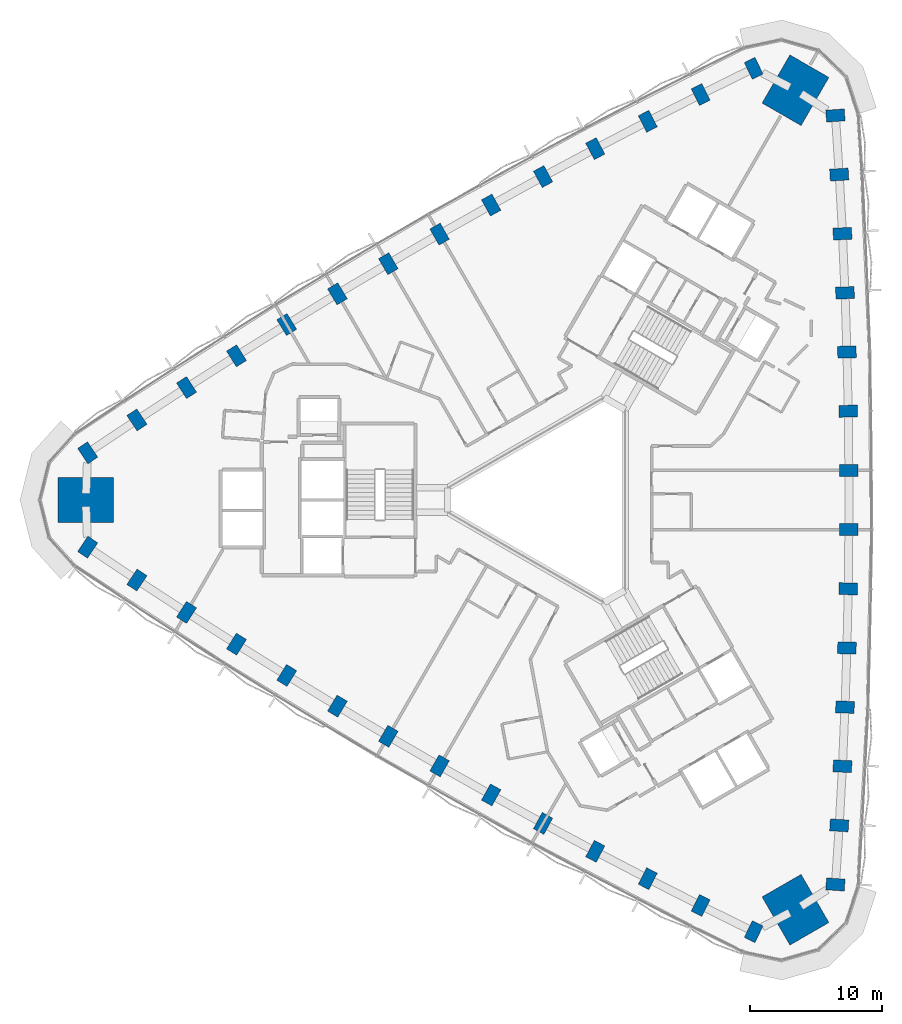
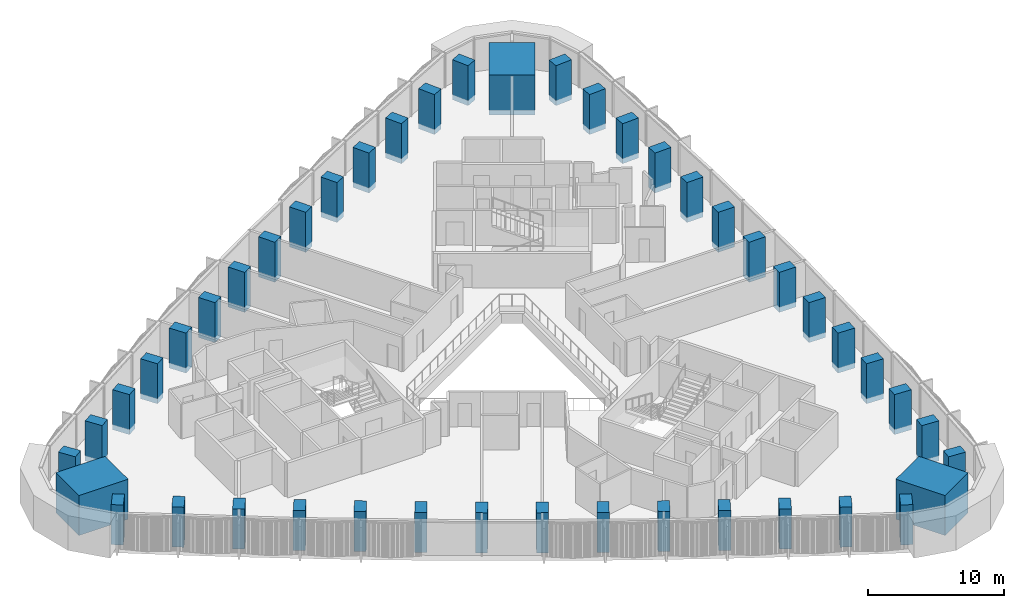
# One storey, part 1 of 15: 45 columns.
"""IFC4 building model written with IfcOpenShell, lengths in metres."""

from ifc_helpers import new_model, si_unit, direction, frame, origin, origin_2d, place, context, subcontext, project, spatial, rectangle, extrude, material, material_profile, profile_set, type_object, element, save


model = new_model("IFC4")

# Units and contexts
model_context = context("Model", 3, precision=1e-05, world=origin(), true_north=direction((0.0, 1.0)))
body_context = subcontext(model_context, "Body", "Model", "MODEL_VIEW")
ifc_project = project(units=[si_unit("LENGTHUNIT", "METRE"), si_unit("AREAUNIT", "SQUARE_METRE"), si_unit("VOLUMEUNIT", "CUBIC_METRE"), si_unit("PLANEANGLEUNIT", "RADIAN"), si_unit("MASSUNIT", "GRAM", prefix="KILO")], contexts=[model_context])

# Site, building, storey
site_placement = place(None, origin())
site = spatial("IfcSite", under=ifc_project, at=site_placement, CompositionType="ELEMENT")
building_placement = place(site_placement, origin())
building = spatial("IfcBuilding", under=site, at=building_placement, Name="Tamra Quay Hotel Tower", CompositionType="ELEMENT")
storey_placement = place(building_placement, frame((0.0, 0.0, 42.199951171875)))
storey = spatial("IfcBuildingStorey", under=building, at=storey_placement, Name="L08", CompositionType="ELEMENT", Elevation=42.199951171875)

# Columns
ifc_material = material(Name="Concrete M70", Category="concrete")
ifc_material_profile_1 = material_profile(ifc_material, rectangle(XDim=1.39990234375, YDim=0.89990234375, at=origin_2d()), Name="COLUMN RC 900x1400 Z1")
ifc_profile_set_1 = profile_set([ifc_material_profile_1], Name="Concrete M70")
column_type_1 = type_object("IfcColumnType", Name="COLUMN RC 900x1400 Z1", PredefinedType="COLUMN", material=ifc_profile_set_1)
for number, where, z_axis, x_axis, name in (
    (1, (20.87890625, -29.033935546875, -0.474853515625), (0.0, 0.0, 1.0), (-0.997561736499, 0.069789554182, 0.0), "COL-C1E01-L08"),
    (2, (21.168701171875, -24.572509765625, -0.474853515625), (0.0, 0.0, 1.0), (-0.998214376921, 0.059733221148, 0.0), "COL-C1E02-L08"),
    (3, (21.410400390625, -20.10888671875, -0.474853515625), (0.0, 0.0, 1.0), (-0.998830734492, 0.048344222345, 0.0), "COL-C1E03-L08"),
    (4, (21.60400390625, -15.642578125, -0.474853515625), (0.0, 0.0, 1.0), (-0.999284860458, 0.037812268629, 0.0), "COL-C1E04-L08"),
    (5, (21.7490234375, -11.17431640625, -0.474853515625), (0.0, 0.0, 1.0), (-0.999628128016, 0.02726913418, 0.0), "COL-C1E05-L08"),
    (6, (21.845947265625, -6.70556640625, -0.474853515625), (0.0, 0.0, 1.0), (-0.999874567832, 0.015838200722, 0.0), "COL-C1E06-L08"),
    (7, (21.894287109375, -2.2353515625, -0.474853515625), (0.0, 0.0, 1.0), (-0.999986062833, 0.00527959646, 0.0), "COL-C1E07-L08"),
    (8, (21.894287109375, 2.2353515625, -0.474853515625), (0.0, 0.0, 1.0), (0.999986062833, 0.00527959646, 0.0), "COL-C1E08-L08"),
    (9, (21.845947265625, 6.70556640625, -0.474853515625), (0.0, 0.0, 1.0), (0.999874567832, 0.015838200722, 0.0), "COL-C1E09-L08"),
    (10, (21.7490234375, 11.17431640625, -0.474853515625), (0.0, 0.0, 1.0), (0.999628128016, 0.02726913418, 0.0), "COL-C1E10-L08"),
    (11, (21.60400390625, 15.642578125, -0.474853515625), (0.0, 0.0, 1.0), (0.999284860458, 0.037812268629, 0.0), "COL-C1E11-L08"),
    (12, (21.410400390625, 20.10888671875, -0.474853515625), (0.0, 0.0, 1.0), (0.998830734492, 0.048344222345, 0.0), "COL-C1E12-L08"),
    (13, (21.168701171875, 24.572509765625, -0.474853515625), (0.0, 0.0, 1.0), (0.998214376921, 0.059733221148, 0.0), "COL-C1E13-L08"),
    (14, (20.87890625, 29.033935546875, -0.474853515625), (0.0, 0.0, 1.0), (0.997561736499, 0.069789554182, 0.0), "COL-C1E14-L08"),
    (15, (14.70458984375, 32.5986328125, -0.474853515625), (0.0, 0.0, 1.0), (-0.438341341409, 0.898808582743, 0.0), "COL-C1NW01-L08"),
    (16, (10.69580078125, 30.618896484375, -0.474853515625), (0.0, 0.0, 1.0), (-0.447376701496, 0.89434561941, 0.0), "COL-C1NW02-L08"),
    (17, (6.709716796875, 28.596435546875, -0.474853515625), (0.0, 0.0, 1.0), (-0.457548042569, 0.889184901323, 0.0), "COL-C1NW03-L08"),
    (18, (2.744873046875, 26.53076171875, -0.474853515625), (0.0, 0.0, 1.0), (-0.466896045022, 0.884312209088, 0.0), "COL-C1NW04-L08"),
    (19, (-1.197265625, 24.422607421875, -0.474853515625), (0.0, 0.0, 1.0), (-0.476198301069, 0.879337920289, 0.0), "COL-C1NW05-L08"),
    (20, (-5.11572265625, 22.27197265625, -0.474853515625), (0.0, 0.0, 1.0), (-0.486220999741, 0.873835876702, 0.0), "COL-C1NW06-L08"),
    (21, (-9.011474609375, 20.07861328125, -0.474853515625), (0.0, 0.0, 1.0), (-0.495420766761, 0.868653132074, 0.0), "COL-C1NW07-L08"),
    (22, (-12.883056640625, 17.843505859375, -0.474853515625), (0.0, 0.0, 1.0), (-0.504565296072, 0.863373535614, 0.0), "COL-C1NW08-L08"),
    (23, (-16.72998046875, 15.56640625, -0.474853515625), (0.0, 0.0, 1.0), (-0.513653568092, 0.85799767598, 0.0), "COL-C1NW09-L08"),
    (24, (-20.552001953125, 13.248046875, -0.474853515625), (0.0, 0.0, 1.0), (-0.523429826947, 0.85206878611, 0.0), "COL-C1NW10-L08"),
    (25, (-24.348876953125, 10.88818359375, -0.474853515625), (0.0, 0.0, 1.0), (-0.532388815436, 0.84649994046, 0.0), "COL-C1NW11-L08"),
    (26, (-28.1201171875, 8.487548828125, -0.474853515625), (0.0, 0.0, 1.0), (-0.541282691923, 0.840840678978, 0.0), "COL-C1NW12-L08"),
    (27, (-31.86474609375, 6.04638671875, -0.474853515625), (0.0, 0.0, 1.0), (-0.550837675425, 0.834612398262, 0.0), "COL-C1NW13-L08"),
    (28, (-35.58349609375, 3.564697265625, -0.474853515625), (0.0, 0.0, 1.0), (-0.55922039509, 0.82901902856, 0.0), "COL-C1NW14-L08"),
    (29, (-35.58349609375, -3.564697265625, -0.474853515625), (0.0, 0.0, 1.0), (0.55922039509, 0.82901902856, 0.0), "COL-C1SW01-L08"),
    (30, (-31.86474609375, -6.04638671875, -0.474853515625), (0.0, 0.0, 1.0), (0.550837675425, 0.834612398262, 0.0), "COL-C1SW02-L08"),
    (31, (-28.1201171875, -8.487548828125, -0.474853515625), (0.0, 0.0, 1.0), (0.541282691923, 0.840840678978, 0.0), "COL-C1SW03-L08"),
    (32, (-24.348876953125, -10.88818359375, -0.474853515625), (0.0, 0.0, 1.0), (0.532388815436, 0.84649994046, 0.0), "COL-C1SW04-L08"),
    (33, (-20.552001953125, -13.248046875, -0.474853515625), (0.0, 0.0, 1.0), (0.523429826947, 0.85206878611, 0.0), "COL-C1SW05-L08"),
    (34, (-16.72998046875, -15.56640625, -0.474853515625), (0.0, 0.0, 1.0), (0.513653568092, 0.85799767598, 0.0), "COL-C1SW06-L08"),
    (35, (-12.883056640625, -17.843505859375, -0.474853515625), (0.0, 0.0, 1.0), (0.504565296072, 0.863373535614, 0.0), "COL-C1SW07-L08"),
    (36, (-9.011474609375, -20.07861328125, -0.474853515625), (0.0, 0.0, 1.0), (0.495420766761, 0.868653132074, 0.0), "COL-C1SW08-L08"),
    (37, (-5.11572265625, -22.27197265625, -0.474853515625), (0.0, 0.0, 1.0), (0.486220999741, 0.873835876702, 0.0), "COL-C1SW09-L08"),
    (38, (-1.197265625, -24.422607421875, -0.474853515625), (0.0, 0.0, 1.0), (0.476198301069, 0.879337920289, 0.0), "COL-C1SW10-L08"),
    (39, (2.744873046875, -26.53076171875, -0.474853515625), (0.0, 0.0, 1.0), (0.466896045022, 0.884312209088, 0.0), "COL-C1SW11-L08"),
    (40, (6.709716796875, -28.596435546875, -0.474853515625), (0.0, 0.0, 1.0), (0.457548042569, 0.889184901323, 0.0), "COL-C1SW12-L08"),
    (41, (10.69580078125, -30.618896484375, -0.474853515625), (0.0, 0.0, 1.0), (0.447376701496, 0.89434561941, 0.0), "COL-C1SW13-L08"),
    (42, (14.70458984375, -32.5986328125, -0.474853515625), (0.0, 0.0, 1.0), (0.438341341409, 0.898808582743, 0.0), "COL-C1SW14-L08"),
):
    element("IfcColumn", number, at=place(storey_placement, frame(where, z_axis=z_axis, x_axis=x_axis)), inside=storey, type_object=column_type_1, Name=name, PredefinedType="COLUMN", context=body_context, shape_type="SweptSolid", body=[
        extrude(rectangle(XDim=1.39990234375, YDim=0.89990234375, at=origin_2d()), origin(), (0.0, 0.0, 1.0), 3.599853515625),
    ])
ifc_material_profile_2 = material_profile(ifc_material, rectangle(XDim=4.199951171875, YDim=3.39990234375, at=origin_2d()), Name="MEGA COLUMN RC 3400x4200 Z1")
ifc_profile_set_2 = profile_set([ifc_material_profile_2], Name="Concrete M70")
column_type_2 = type_object("IfcColumnType", Name="MEGA COLUMN RC 3400x4200 Z1", PredefinedType="COLUMN", material=ifc_profile_set_2)
for number, where, z_axis, x_axis, name in (
    (43, (17.864501953125, 30.942138671875, -0.474853515625), (0.0, 0.0, 1.0), (0.5, 0.866025403784, 0.0), "COL-M1NE-L08"),
    (44, (-35.72900390625, 0.0, -0.474853515625), (0.0, 0.0, 1.0), (1.0, 0.0, 0.0), "COL-M1W-L08"),
    (45, (17.864501953125, -30.942138671875, -0.474853515625), (0.0, 0.0, 1.0), (-0.5, 0.866025403784, 0.0), "COL-M1SE-L08"),
):
    element("IfcColumn", number, at=place(storey_placement, frame(where, z_axis=z_axis, x_axis=x_axis)), inside=storey, type_object=column_type_2, Name=name, PredefinedType="COLUMN", context=body_context, shape_type="SweptSolid", body=[
        extrude(rectangle(XDim=4.199951171875, YDim=3.39990234375, at=origin_2d()), origin(), (0.0, 0.0, 1.0), 3.599853515625),
    ])

save(model, "model.ifc")
